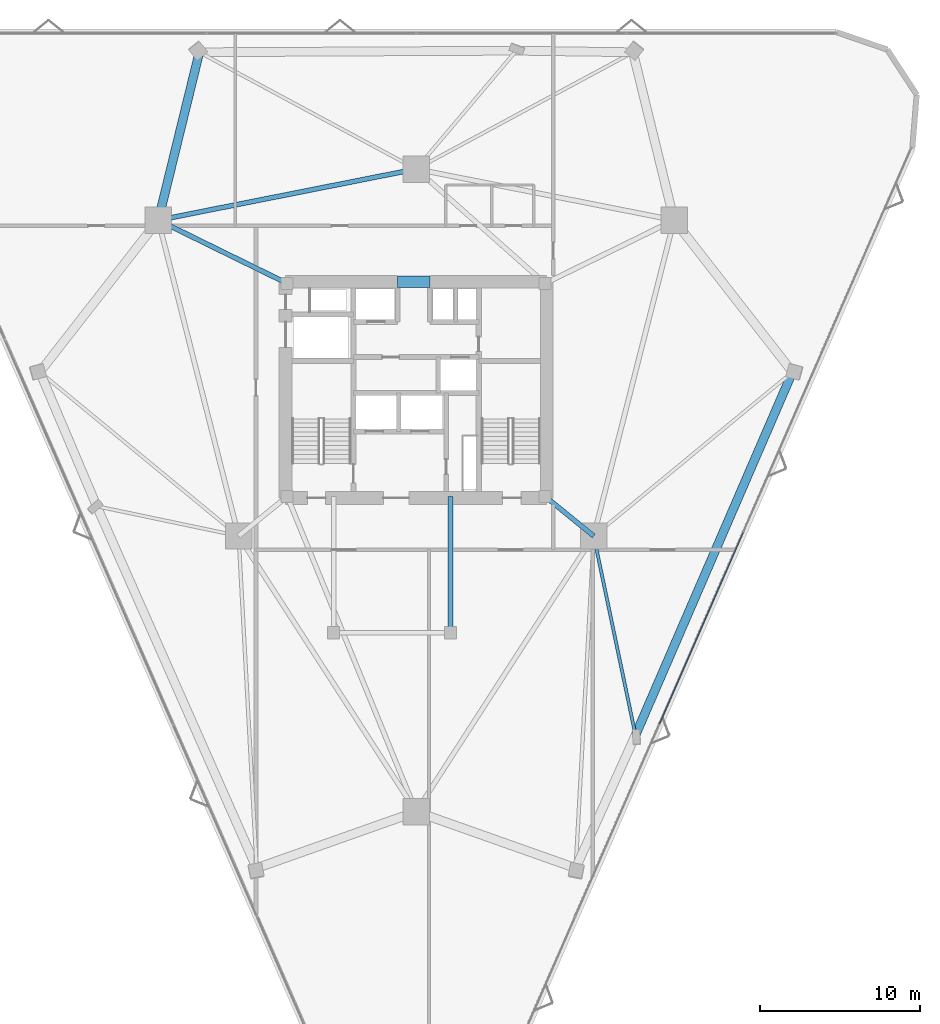
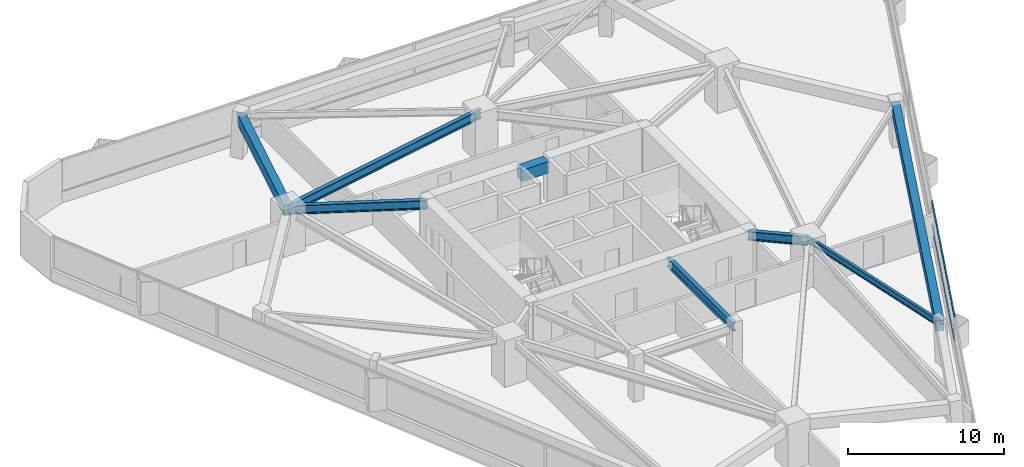
# One storey, part 7 of 17: 8 beams, 2 members, 1 element without a shape of its own.
"""IFC4 building model written with IfcOpenShell, lengths in metres."""

import ifcopenshell
import ifcopenshell.guid

model = None  # the IFC model being written
_history = None  # IfcOwnerHistory: only IFC2X3 demands one
_inside = {}  # id of a spatial element -> (the spatial element, [elements in it])
_under = {}  # id of a project, library or spatial element -> (it, [spatial elements below it])
_declared = {}  # id of a project -> (the project, [libraries it declares])
_typed = {}  # id of a type object -> (the type object, [elements of that type])
_made_of = {}  # id of a material, layer set ... -> (it, [elements and type objects made of it])


def new_model(schema):
    """Start an empty IFC model of exactly this schema.

    Asked for "IFC4X3", IfcOpenShell would pick the latest addendum, in which some entities
    have other attributes; the version numbers below select the first issue.
    IFC2X3 requires an IfcOwnerHistory on every rooted entity: one is made here for all.
    """
    global model, _history
    if schema == "IFC4X3":
        model = ifcopenshell.file(schema_version=(4, 3, 0, 0))
    else:
        model = ifcopenshell.file(schema=schema)
    _inside.clear()
    _under.clear()
    _declared.clear()
    _typed.clear()
    _made_of.clear()
    _history = None
    if model.schema == "IFC2X3":
        org = make("IfcOrganization", Name="unknown")
        user = make(
            "IfcPersonAndOrganization",
            ThePerson=make("IfcPerson", FamilyName="unknown"),
            TheOrganization=org,
        )
        app = make(
            "IfcApplication",
            ApplicationDeveloper=org,
            Version="unknown",
            ApplicationFullName="unknown",
            ApplicationIdentifier="unknown",
        )
        _history = make(
            "IfcOwnerHistory",
            OwningUser=user,
            OwningApplication=app,
            ChangeAction="ADDED",
            CreationDate=0,
        )
    return model


def make(cls, **values):
    """One entity of the class cls with the attributes given. An attribute that is None is left unset."""
    return model.create_entity(
        cls, **{name: value for name, value in values.items() if value is not None}
    )


def rooted(cls, **values):
    """An entity with a GlobalId (a new one), such as an element, a storey or a relation."""
    return make(cls, GlobalId=ifcopenshell.guid.new(), OwnerHistory=_history, **values)


def si_unit(unit_type, name, prefix=None):
    """IfcSIUnit, for example si_unit("LENGTHUNIT", "METRE", prefix="MILLI")."""
    return make("IfcSIUnit", UnitType=unit_type, Prefix=prefix, Name=name)


def assignment(units):
    """IfcUnitAssignment: the units of a project."""
    return None if units is None else make("IfcUnitAssignment", Units=units)


def point(xyz):
    """IfcCartesianPoint."""
    return None if xyz is None else make("IfcCartesianPoint", Coordinates=xyz)


def direction(xyz):
    """IfcDirection."""
    return None if xyz is None else make("IfcDirection", DirectionRatios=xyz)


def frame(location, z_axis=None, x_axis=None):
    """IfcAxis2Placement3D, a coordinate frame: its origin and axes. An axis left out is left unset."""
    return make(
        "IfcAxis2Placement3D",
        Location=point(location),
        Axis=direction(z_axis),
        RefDirection=direction(x_axis),
    )


def frame_2d(location, x_axis=None):
    """IfcAxis2Placement2D, a coordinate frame in the plane: its origin and x axis."""
    return make(
        "IfcAxis2Placement2D", Location=point(location), RefDirection=direction(x_axis)
    )


def origin():
    """The frame at (0, 0, 0) with its axes left unset."""
    return frame((0.0, 0.0, 0.0))


def origin_2d():
    """The frame at (0, 0) in the plane with its x axis left unset."""
    return frame_2d((0.0, 0.0))


def place(relative_to, where):
    """IfcLocalPlacement: puts the frame where relative to a parent placement (None: the world)."""
    return make(
        "IfcLocalPlacement", PlacementRelTo=relative_to, RelativePlacement=where
    )


def context(
    kind, dimensions, precision=None, world=None, true_north=None, identifier=None
):
    """IfcGeometricRepresentationContext, for example the 3D "Model" context."""
    return make(
        "IfcGeometricRepresentationContext",
        ContextIdentifier=identifier,
        ContextType=kind,
        CoordinateSpaceDimension=dimensions,
        Precision=precision,
        WorldCoordinateSystem=world,
        TrueNorth=true_north,
    )


def subcontext(parent, identifier, kind, view, scale=None):
    """IfcGeometricRepresentationSubContext, for example "Body" below "Model"."""
    return make(
        "IfcGeometricRepresentationSubContext",
        ContextIdentifier=identifier,
        ContextType=kind,
        ParentContext=parent,
        TargetScale=scale,
        TargetView=view,
    )


def project(units=None, contexts=None):
    """IfcProject with its units and contexts."""
    return rooted(
        "IfcProject",
        Name="project",
        RepresentationContexts=contexts,
        UnitsInContext=assignment(units),
    )


def spatial(cls, under=None, at=None, **own):
    """A site, building, storey or space (cls), placed at a placement, below another one or the project."""
    s = rooted(cls, ObjectPlacement=at, **own)
    if under is not None:
        _under.setdefault(under.id(), (under, []))[1].append(s)
    return s


def profile(cls, at=None, kind="AREA", **sizes):
    """A parametric profile (cls). Its sizes go by their IFC names, for example OverallWidth=200.0."""
    return make(cls, ProfileType=kind, Position=at, **sizes)


def rectangle(**sizes):
    """IfcRectangleProfileDef."""
    return profile("IfcRectangleProfileDef", **sizes)


def i_section(**sizes):
    """IfcIShapeProfileDef."""
    return profile("IfcIShapeProfileDef", **sizes)


def extrude(swept, where, along, depth):
    """IfcExtrudedAreaSolid: the profile swept, set in the frame where, extruded along a direction by depth."""
    return make(
        "IfcExtrudedAreaSolid",
        SweptArea=swept,
        Position=where,
        ExtrudedDirection=direction(along),
        Depth=depth,
    )


def shape(context_of_items, identifier, shape_type, items):
    """IfcShapeRepresentation: the items that make up one representation, for example the "Body"."""
    return make(
        "IfcShapeRepresentation",
        ContextOfItems=context_of_items,
        RepresentationIdentifier=identifier,
        RepresentationType=shape_type,
        Items=items,
    )


def material(Name=None, Category=None):
    """IfcMaterial."""
    return make("IfcMaterial", Name=Name, Category=Category)


def layer(
    of_material, thickness, ventilated=None, Name=None, Category=None, Priority=None
):
    """IfcMaterialLayer: one layer of a wall or slab, of a material (None: an air gap)."""
    return make(
        "IfcMaterialLayer",
        Material=of_material,
        LayerThickness=thickness,
        IsVentilated=ventilated,
        Name=Name,
        Category=Category,
        Priority=Priority,
    )


def layer_set(layers, Name=None):
    """IfcMaterialLayerSet."""
    return make("IfcMaterialLayerSet", MaterialLayers=layers, LayerSetName=Name)


def material_profile(
    of_material, cross_section, Name=None, Category=None, Priority=None
):
    """IfcMaterialProfile: a cross section and its material."""
    return make(
        "IfcMaterialProfile",
        Name=Name,
        Material=of_material,
        Profile=cross_section,
        Priority=Priority,
        Category=Category,
    )


def profile_set(profiles, Name=None, composite=None):
    """IfcMaterialProfileSet."""
    return make(
        "IfcMaterialProfileSet",
        Name=Name,
        MaterialProfiles=profiles,
        CompositeProfile=composite,
    )


def made_of(thing, what):
    """Note that an element or type object is made of a material, layer set ...; save() writes the relation."""
    if what is not None:
        _made_of.setdefault(what.id(), (what, []))[1].append(thing)
    return thing


def type_object(cls, material=None, **own):
    """A type object (cls), such as IfcWallType, which elements share."""
    return made_of(rooted(cls, **own), material)


def element(
    cls,
    number,
    at=None,
    inside=None,
    cuts=None,
    type_object=None,
    material=None,
    context=None,
    identifier="Body",
    shape_type=None,
    held_by="IfcProductDefinitionShape",
    body=None,
    shapes=None,
    **own,
):
    """One element of the class cls, such as IfcWall. Its Tag is "e" and its number.

    at: its placement. inside: the storey or other place that contains it. cuts: it is an
    opening in that element (IfcRelVoidsElement). A single representation is given by context,
    identifier, shape_type and body (its items); several are given by shapes. held_by: the class
    of the entity that holds the representations. save() writes the other relations.
    """
    e = rooted(cls, Tag="e%d" % number, ObjectPlacement=at, **own)
    if body is not None:
        shapes = [shape(context, identifier, shape_type, body)]
    if shapes is not None:
        e.Representation = make(held_by, Representations=shapes)
    if inside is not None:
        _inside.setdefault(inside.id(), (inside, []))[1].append(e)
    if cuts is not None:
        rooted(
            "IfcRelVoidsElement", RelatingBuildingElement=cuts, RelatedOpeningElement=e
        )
    if type_object is not None:
        _typed.setdefault(type_object.id(), (type_object, []))[1].append(e)
    return made_of(e, material)


def aggregate(whole, parts):
    """IfcRelAggregates: a whole, such as a stair, and the parts it consists of."""
    return rooted("IfcRelAggregates", RelatingObject=whole, RelatedObjects=parts)


def save(model, path):
    """Write the relations noted so far, then the file.

    IfcRelAggregates (storeys below a building ...), IfcRelContainedInSpatialStructure (elements
    in a storey), IfcRelDefinesByType, IfcRelAssociatesMaterial and IfcRelDeclares: one each for
    every whole, place, type object, material and project.
    """
    for whole, parts in _under.values():
        aggregate(whole, parts)
    for where, things in _inside.values():
        rooted(
            "IfcRelContainedInSpatialStructure",
            RelatedElements=things,
            RelatingStructure=where,
        )
    for kind, things in _typed.values():
        rooted("IfcRelDefinesByType", RelatedObjects=things, RelatingType=kind)
    for what, things in _made_of.values():
        rooted("IfcRelAssociatesMaterial", RelatedObjects=things, RelatingMaterial=what)
    for by, libraries in _declared.values():
        rooted("IfcRelDeclares", RelatingContext=by, RelatedDefinitions=libraries)
    model.write(path)


model = new_model("IFC4")

# Units and contexts
model_context = context("Model", 3, precision=1e-05, world=origin(), true_north=direction((0.0, 1.0)))
body_context = subcontext(model_context, "Body", "Model", "MODEL_VIEW")
ifc_project = project(units=[si_unit("LENGTHUNIT", "METRE"), si_unit("AREAUNIT", "SQUARE_METRE"), si_unit("VOLUMEUNIT", "CUBIC_METRE"), si_unit("PLANEANGLEUNIT", "RADIAN"), si_unit("MASSUNIT", "GRAM", prefix="KILO")], contexts=[model_context])

# Site, building, storey
site_placement = place(None, origin())
site = spatial("IfcSite", under=ifc_project, at=site_placement, CompositionType="ELEMENT")
building_placement = place(site_placement, origin())
building = spatial("IfcBuilding", under=site, at=building_placement, Name="Talyreon Biosciences Tower", CompositionType="ELEMENT")
storey_placement = place(building_placement, frame((0.0, 0.0, 93.25)))
storey = spatial("IfcBuildingStorey", under=building, at=storey_placement, Name="L24", CompositionType="ELEMENT", Elevation=93.25)

# Curtain wall, members
ifc_material_1 = material(Name="Thermally broken aluminium and low-E glazing", Category="aluminium")
ifc_layer = layer(ifc_material_1, 0.18994140625)
ifc_layer_set = layer_set([ifc_layer], Name="Thermally broken aluminium and low-E glazing")
curtain_wall_type = type_object("IfcCurtainWallType", Name="CurtainWall_Zone2Genomics", PredefinedType="NOTDEFINED", material=ifc_layer_set)
curtain_wall_placement = place(storey_placement, origin())
curtain_wall = element("IfcCurtainWall", 1, at=curtain_wall_placement, inside=storey, type_object=curtain_wall_type, Name="L24 Unitised Curtain Wall FCW-L24-08", PredefinedType="NOTDEFINED")
ifc_material_2 = material(Name="Anodised thermally broken aluminium", Category="aluminium")
ifc_material_profile_1 = material_profile(ifc_material_2, rectangle(XDim=0.06494140625, YDim=0.139892578125, at=origin_2d()), Name="ALUM TRANSOM 65x140")
ifc_profile_set_1 = profile_set([ifc_material_profile_1], Name="Anodised thermally broken aluminium")
member_type = type_object("IfcMemberType", Name="CWTransom_65x140", PredefinedType="USERDEFINED", material=ifc_profile_set_1)
member_1_placement = place(storey_placement, frame((86.409912109375, 59.081298828125, 0.842529296875), z_axis=(-0.400538617789, -0.916279878454, 0.0), x_axis=(0.916279878454, -0.400538617789, 0.0)))
member_1 = element("IfcMember", 2, at=member_1_placement, type_object=member_type, Name="CW3 transom 3.1", ObjectType="TRANSOM", PredefinedType="USERDEFINED", context=body_context, shape_type="SweptSolid", body=[
    extrude(rectangle(XDim=0.06494140625, YDim=0.139892578125, at=origin_2d()), origin(), (0.0, 0.0, 1.0), 13.02685546875),
])
member_2_placement = place(storey_placement, frame((86.409912109375, 59.081298828125, 2.66748046875), z_axis=(-0.400538617789, -0.916279878454, 0.0), x_axis=(0.916279878454, -0.400538617789, 0.0)))
member_2 = element("IfcMember", 3, at=member_2_placement, type_object=member_type, Name="CW3 transom 3.2", ObjectType="TRANSOM", PredefinedType="USERDEFINED", context=body_context, shape_type="SweptSolid", body=[
    extrude(rectangle(XDim=0.06494140625, YDim=0.139892578125, at=origin_2d()), origin(), (0.0, 0.0, 1.0), 13.02685546875),
])
aggregate(curtain_wall, [member_1, member_2])

# Beams
ifc_material_3 = material(Name="Concrete C60/75", Category="concrete")
ifc_material_profile_2 = material_profile(ifc_material_3, rectangle(XDim=0.699951171875, YDim=0.89990234375, at=origin_2d()), Name="RCB 700x900")
ifc_profile_set_2 = profile_set([ifc_material_profile_2], Name="Concrete C60/75")
beam_type_1 = type_object("IfcBeamType", Name="CoreCouplingLintel_700x900", PredefinedType="LINTEL", material=ifc_profile_set_2)
beam_1_placement = place(storey_placement, frame((64.85009765625, 74.75, 2.925048828125), z_axis=(1.0, 0.0, 0.0), x_axis=(0.0, 1.0, 0.0)))
element("IfcBeam", 4, at=beam_1_placement, inside=storey, type_object=beam_type_1, Name="L24 Core Coupling Lintel", PredefinedType="LINTEL", context=body_context, shape_type="SweptSolid", body=[
    extrude(rectangle(XDim=0.699951171875, YDim=0.89990234375, at=origin_2d()), origin(), (0.0, 0.0, 1.0), 2.0),
])
ifc_material_4 = material(Name="Precast concrete C45/55", Category="concrete")
ifc_material_profile_3 = material_profile(ifc_material_4, rectangle(XDim=0.550048828125, YDim=0.85009765625, at=origin_2d()), Name="RCB 550x850")
ifc_profile_set_3 = profile_set([ifc_material_profile_3], Name="Precast concrete C45/55")
beam_type_2 = type_object("IfcBeamType", Name="ExpressedSpandrel_550x850", PredefinedType="SPANDREL", material=ifc_profile_set_3)
beam_2_placement = place(storey_placement, frame((79.6943359375, 46.44384765625, 2.949951171875), z_axis=(0.396778133122, 0.917914545629, 0.0), x_axis=(-0.917914545629, 0.396778133122, 0.0)))
element("IfcBeam", 5, at=beam_2_placement, inside=storey, type_object=beam_type_2, Name="L24 Expressed Horizontal Concrete Spandrel 03", PredefinedType="SPANDREL", context=body_context, shape_type="SweptSolid", body=[
    extrude(rectangle(XDim=0.550048828125, YDim=0.85009765625, at=origin_2d()), origin(), (0.0, 0.0, 1.0), 24.698974609375),
])
beam_3_placement = place(storey_placement, frame((52.464111328125, 89.081298828125, 2.949951171875), z_axis=(-0.237800783278, -0.971313948974, 0.0), x_axis=(0.971313948974, -0.237800783278, 0.0)))
element("IfcBeam", 6, at=beam_3_placement, inside=storey, type_object=beam_type_2, Name="L24 Expressed Horizontal Concrete Spandrel 08", PredefinedType="SPANDREL", context=body_context, shape_type="SweptSolid", body=[
    extrude(rectangle(XDim=0.550048828125, YDim=0.85009765625, at=origin_2d()), origin(), (0.0, 0.0, 1.0), 10.792236328125),
])
ifc_material_5 = material(Name="Steel SM355", Category="steel")
ifc_material_profile_4 = material_profile(ifc_material_5, i_section(OverallWidth=0.300048828125, OverallDepth=0.699951171875, WebThickness=0.01708984375, FlangeThickness=0.031982421875, FilletRadius=0.027099609375, at=origin_2d()), Name="HE700B")
ifc_profile_set_4 = profile_set([ifc_material_profile_4], Name="Steel SM355")
beam_type_3 = type_object("IfcBeamType", Name="SteelGirder_HE700B", PredefinedType="BEAM", material=ifc_profile_set_4)
beam_4_placement = place(storey_placement, frame((66.0, 81.788818359375, 3.02490234375), z_axis=(-0.980933730698, -0.194342522311, 0.0), x_axis=(0.194342522311, -0.980933730698, 0.0)))
element("IfcBeam", 7, at=beam_4_placement, inside=storey, type_object=beam_type_3, Name="L24 Mega-Ring Girder 4", PredefinedType="BEAM", context=body_context, shape_type="SweptSolid", body=[
    extrude(i_section(OverallWidth=0.300048828125, OverallDepth=0.699951171875, WebThickness=0.01708984375, FlangeThickness=0.031982421875, FilletRadius=0.027099609375, at=origin_2d()), origin(), (0.0, 0.0, 1.0), 16.415283203125),
])
beam_5_placement = place(storey_placement, frame((74.050048828125, 61.35009765625, 3.02490234375), z_axis=(0.775755154013, -0.631034025249, 0.0), x_axis=(0.631034025249, 0.775755154013, 0.0)))
element("IfcBeam", 8, at=beam_5_placement, inside=storey, type_object=beam_type_3, Name="L24 Radial Primary Girder 2", PredefinedType="BEAM", context=body_context, shape_type="SweptSolid", body=[
    extrude(i_section(OverallWidth=0.300048828125, OverallDepth=0.699951171875, WebThickness=0.01708984375, FlangeThickness=0.031982421875, FilletRadius=0.027099609375, at=origin_2d()), origin(), (0.0, 0.0, 1.0), 3.913818359375),
])
beam_6_placement = place(storey_placement, frame((57.949951171875, 74.64990234375, 3.02490234375), z_axis=(-0.897852360314, 0.440296648952, 0.0), x_axis=(-0.440296648952, -0.897852360314, 0.0)))
element("IfcBeam", 9, at=beam_6_placement, inside=storey, type_object=beam_type_3, Name="L24 Radial Primary Girder 5", PredefinedType="BEAM", context=body_context, shape_type="SweptSolid", body=[
    extrude(i_section(OverallWidth=0.300048828125, OverallDepth=0.699951171875, WebThickness=0.01708984375, FlangeThickness=0.031982421875, FilletRadius=0.027099609375, at=origin_2d()), origin(), (0.0, 0.0, 1.0), 8.96826171875),
])
beam_7_placement = place(storey_placement, frame((68.14990234375, 52.840087890625, 3.02490234375), z_axis=(0.0, 1.0, 0.0), x_axis=(-1.0, 0.0, 0.0)))
element("IfcBeam", 10, at=beam_7_placement, inside=storey, type_object=beam_type_3, Name="L24 Crown Shaft Tie Girder E", PredefinedType="BEAM", context=body_context, shape_type="SweptSolid", body=[
    extrude(i_section(OverallWidth=0.300048828125, OverallDepth=0.699951171875, WebThickness=0.01708984375, FlangeThickness=0.031982421875, FilletRadius=0.027099609375, at=origin_2d()), origin(), (0.0, 0.0, 1.0), 8.510009765625),
])
ifc_material_profile_5 = material_profile(ifc_material_5, i_section(OverallWidth=0.199951171875, OverallDepth=0.5, WebThickness=0.01025390625, FlangeThickness=0.01611328125, FilletRadius=0.02099609375, at=origin_2d()), Name="IPE500")
ifc_profile_set_5 = profile_set([ifc_material_profile_5], Name="Steel SM355")
beam_type_4 = type_object("IfcBeamType", Name="SteelJoist_IPE500", PredefinedType="JOIST", material=ifc_profile_set_5)
beam_8_placement = place(storey_placement, frame((77.086181640625, 58.88037109375, 3.125), z_axis=(0.205252245539, -0.978709106784, 0.0), x_axis=(0.978709106784, 0.205252245539, 0.0)))
element("IfcBeam", 11, at=beam_8_placement, inside=storey, type_object=beam_type_4, Name="L24 Radial Composite Floor Joist PL-SE", PredefinedType="JOIST", context=body_context, shape_type="SweptSolid", body=[
    extrude(i_section(OverallWidth=0.199951171875, OverallDepth=0.5, WebThickness=0.01025390625, FlangeThickness=0.01611328125, FilletRadius=0.02099609375, at=origin_2d()), origin(), (0.0, 0.0, 1.0), 12.70703125),
])

save(model, "model.ifc")
